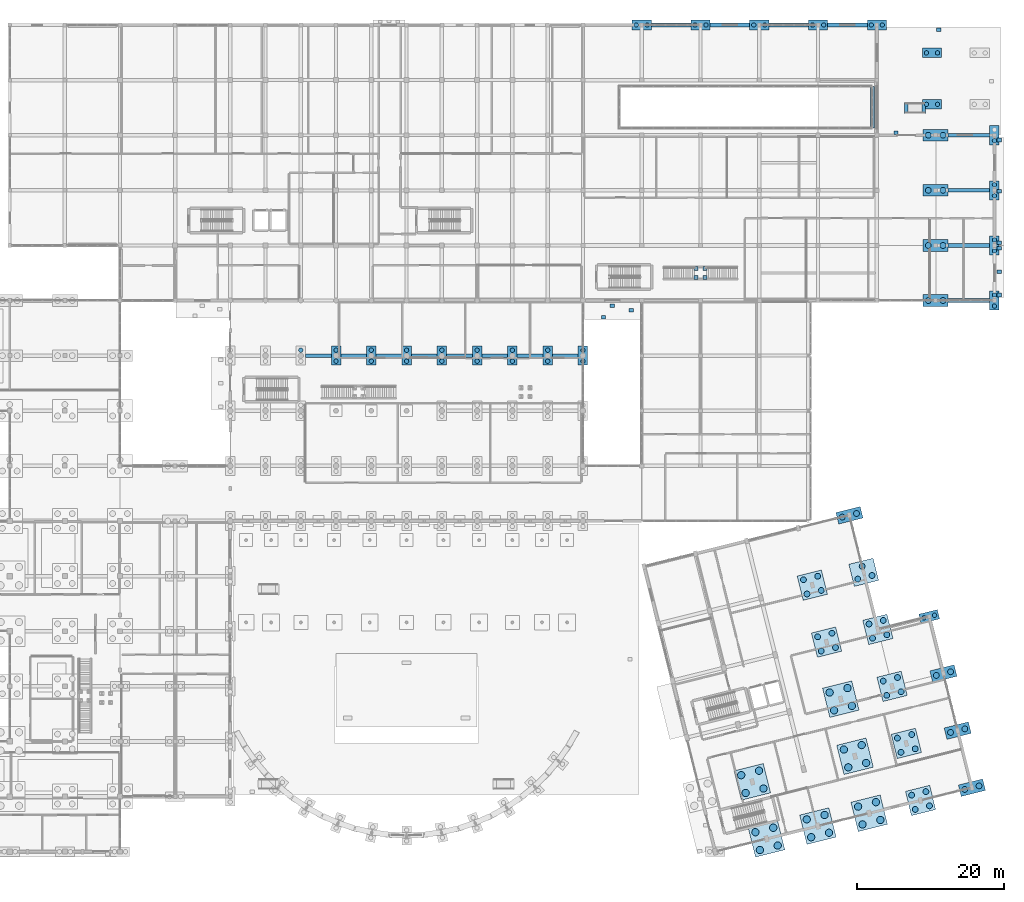
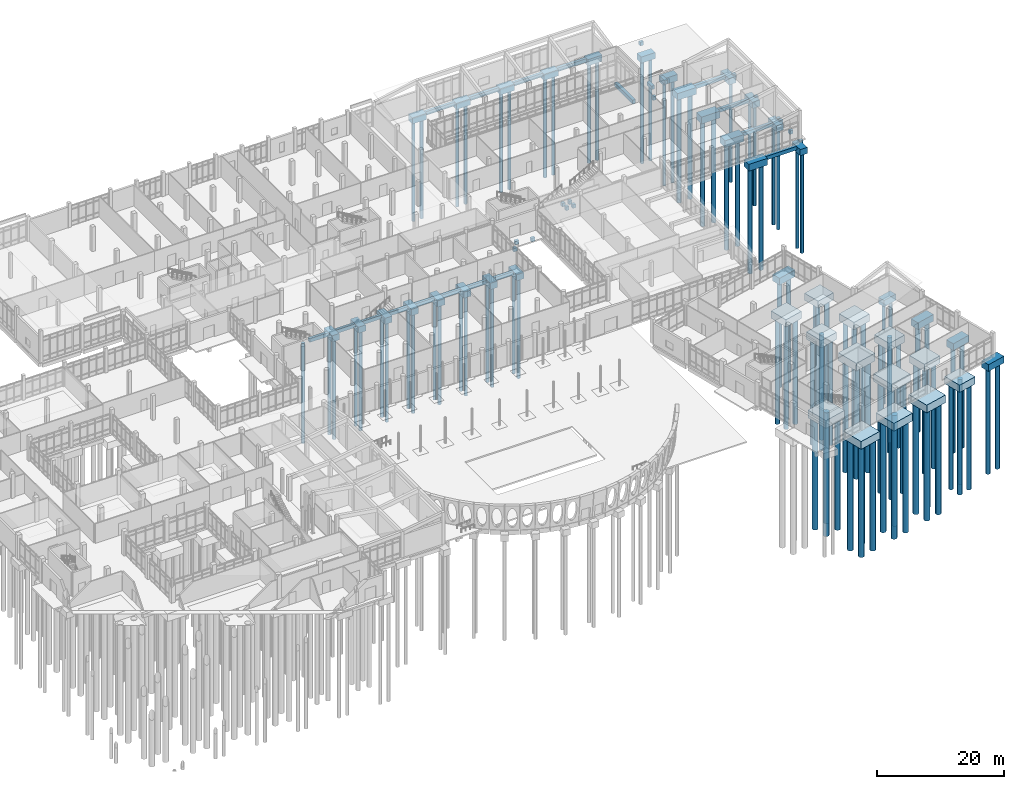
# One storey, part 5 of 173: 107 piles, 75 footings.
"""IFC4 building model written with IfcOpenShell, lengths in metres."""

from ifc_helpers import new_model, si_unit, direction, frame, origin, origin_2d, place, context, subcontext, project, spatial, rectangle, circle, extrude, material, material_profile, profile_set, type_object, element, save


model = new_model("IFC4")

# Units and contexts
model_context = context("Model", 3, precision=1e-05, world=origin(), true_north=direction((0.0, 1.0)))
body_context = subcontext(model_context, "Body", "Model", "MODEL_VIEW")
ifc_project = project(units=[si_unit("LENGTHUNIT", "METRE"), si_unit("AREAUNIT", "SQUARE_METRE"), si_unit("VOLUMEUNIT", "CUBIC_METRE"), si_unit("PLANEANGLEUNIT", "RADIAN"), si_unit("MASSUNIT", "GRAM", prefix="KILO")], contexts=[model_context])

# Site, building, storey
site_placement = place(None, origin())
site = spatial("IfcSite", under=ifc_project, at=site_placement, CompositionType="ELEMENT")
building_placement = place(site_placement, origin())
building = spatial("IfcBuilding", under=site, at=building_placement, Name="Mawjan Specialist Oncology Clinic", CompositionType="ELEMENT")
storey_placement = place(building_placement, origin())
storey = spatial("IfcBuildingStorey", under=building, at=storey_placement, Name="L00", CompositionType="ELEMENT", Elevation=0.0)

# Footings
ifc_material_1 = material(Name="Concrete C40/50", Category="concrete")
footing_type_1 = type_object("IfcFootingType", Name="PC-2A", PredefinedType="PILE_CAP", material=ifc_material_1)
for number, where, z_axis, x_axis, name in (
    (1, (74.39990234375, 68.300048828125, -1.6201171875), (0.0, 0.0, 1.0), (0.0, 1.0, 0.0), "Pile Cap FTG-PC-141"),
    (2, (79.199951171875, 68.300048828125, -1.6201171875), (0.0, 0.0, 1.0), (0.0, 1.0, 0.0), "Pile Cap FTG-PC-150"),
    (3, (84.0, 68.300048828125, -1.6201171875), (0.0, 0.0, 1.0), (0.0, 1.0, 0.0), "Pile Cap FTG-PC-159"),
    (4, (88.800048828125, 68.300048828125, -1.6201171875), (0.0, 0.0, 1.0), (0.0, 1.0, 0.0), "Pile Cap FTG-PC-169"),
    (5, (93.60009765625, 68.300048828125, -1.6201171875), (0.0, 0.0, 1.0), (0.0, 1.0, 0.0), "Pile Cap FTG-PC-179"),
    (6, (98.39990234375, 68.300048828125, -1.6201171875), (0.0, 0.0, 1.0), (0.0, 1.0, 0.0), "Pile Cap FTG-PC-189"),
    (7, (103.199951171875, 68.300048828125, -1.6201171875), (0.0, 0.0, 1.0), (0.0, 1.0, 0.0), "Pile Cap FTG-PC-199"),
    (8, (108.0, 68.300048828125, -1.6201171875), (0.0, 0.0, 1.0), (0.0, 1.0, 0.0), "Pile Cap FTG-PC-209"),
    (9, (116.0, 113.300048828125, -1.64990234375), (0.0, 0.0, 1.0), (1.0, 0.0, 0.0), "Pile Cap FTG-PC-224"),
    (10, (124.0, 113.300048828125, -1.64990234375), (0.0, 0.0, 1.0), (1.0, 0.0, 0.0), "Pile Cap FTG-PC-233"),
    (11, (132.0, 113.300048828125, -1.64990234375), (0.0, 0.0, 1.0), (1.0, 0.0, 0.0), "Pile Cap FTG-PC-242"),
    (12, (140.0, 113.300048828125, -1.64990234375), (0.0, 0.0, 1.0), (1.0, 0.0, 0.0), "Pile Cap FTG-PC-248"),
    (13, (148.0, 113.300048828125, -1.64990234375), (0.0, 0.0, 1.0), (1.0, 0.0, 0.0), "Pile Cap FTG-PC-254"),
    (14, (164.0, 75.800048828125, -1.64990234375), (0.0, 0.0, 1.0), (0.0, 1.0, 0.0), "Pile Cap FTG-PC-259"),
    (15, (164.0, 83.300048828125, -1.64990234375), (0.0, 0.0, 1.0), (0.0, 1.0, 0.0), "Pile Cap FTG-PC-260"),
    (16, (164.0, 90.800048828125, -1.64990234375), (0.0, 0.0, 1.0), (0.0, 1.0, 0.0), "Pile Cap FTG-PC-261"),
    (17, (164.0, 98.300048828125, -1.64990234375), (0.0, 0.0, 1.0), (0.0, 1.0, 0.0), "Pile Cap FTG-PC-262"),
    (18, (155.12451171875, 32.79638671875, -1.6201171875), (0.0, 0.0, 1.0), (0.970295726276, 0.2419218956, 0.0), "Pile Cap FTG-PC-296"),
    (19, (155.5, 102.5, -1.4501953125), (0.0, 0.0, 1.0), (1.0, 0.0, 0.0), "Apron Perimeter Pile Cap 1"),
    (20, (155.5, 109.5, -1.4501953125), (0.0, 0.0, 1.0), (1.0, 0.0, 0.0), "Apron Perimeter Pile Cap 4"),
):
    element("IfcFooting", number, at=place(storey_placement, frame(where, z_axis=z_axis, x_axis=x_axis)), inside=storey, type_object=footing_type_1, Name=name, PredefinedType="PILE_CAP", context=body_context, shape_type="SweptSolid", body=[
        extrude(rectangle(XDim=2.60009765625, YDim=1.300048828125, at=origin_2d()), origin(), (0.0, 0.0, 1.0), 1.199951171875),
    ])
ifc_material_2 = material(Name="Concrete C40/50", Category="concrete")
footing_type_2 = type_object("IfcFootingType", Name="PC-2B", PredefinedType="PILE_CAP", material=ifc_material_2)
for number, where, z_axis, x_axis, name in (
    (21, (156.0, 75.800048828125, -1.75), (0.0, 0.0, 1.0), (1.0, 0.0, 0.0), "Pile Cap FTG-PC-255"),
    (22, (156.0, 83.300048828125, -1.75), (0.0, 0.0, 1.0), (1.0, 0.0, 0.0), "Pile Cap FTG-PC-256"),
    (23, (156.0, 90.800048828125, -1.75), (0.0, 0.0, 1.0), (1.0, 0.0, 0.0), "Pile Cap FTG-PC-257"),
    (24, (156.0, 98.300048828125, -1.75), (0.0, 0.0, 1.0), (1.0, 0.0, 0.0), "Pile Cap FTG-PC-258"),
    (25, (144.267578125, 46.5791015625, -1.72021484375), (0.0, 0.0, 1.0), (0.970295726276, 0.2419218956, 0.0), "Pile Cap FTG-PC-292"),
    (26, (160.9306640625, 9.50927734375, -1.72021484375), (0.0, 0.0, 1.0), (0.970295726276, 0.2419218956, 0.0), "Pile Cap FTG-PC-293"),
    (27, (158.995361328125, 17.271484375, -1.72021484375), (0.0, 0.0, 1.0), (0.970295726276, 0.2419218956, 0.0), "Pile Cap FTG-PC-294"),
    (28, (157.059814453125, 25.033935546875, -1.72021484375), (0.0, 0.0, 1.0), (0.970295726276, 0.2419218956, 0.0), "Pile Cap FTG-PC-295"),
):
    element("IfcFooting", number, at=place(storey_placement, frame(where, z_axis=z_axis, x_axis=x_axis)), inside=storey, type_object=footing_type_2, Name=name, PredefinedType="PILE_CAP", context=body_context, shape_type="SweptSolid", body=[
        extrude(rectangle(XDim=3.39990234375, YDim=1.60009765625, at=origin_2d()), origin(), (0.0, 0.0, 1.0), 1.300048828125),
    ])
ifc_material_3 = material(Name="Concrete C40/50", Category="concrete")
footing_type_3 = type_object("IfcFootingType", Name="PC-3A", PredefinedType="PILE_CAP", material=ifc_material_3)
footing_1_placement = place(storey_placement, frame((146.203125, 38.81689453125, -1.77001953125), z_axis=(0.0, 0.0, 1.0), x_axis=(0.970295726276, 0.2419218956, 0.0)))
element("IfcFooting", 29, at=footing_1_placement, inside=storey, type_object=footing_type_3, Name="Pile Cap FTG-PC-291", PredefinedType="PILE_CAP", context=body_context, shape_type="SweptSolid", body=[
    extrude(rectangle(XDim=3.39990234375, YDim=3.10009765625, at=origin_2d()), origin(), (0.0, 0.0, 1.0), 1.35009765625),
])
ifc_material_4 = material(Name="Concrete C40/50", Category="concrete")
footing_type_4 = type_object("IfcFootingType", Name="PC-4A", PredefinedType="PILE_CAP", material=ifc_material_4)
for number, where, z_axis, x_axis, name in (
    (30, (141.15234375, 29.3125, -1.820068359375), (0.0, 0.0, 1.0), (0.970295726276, 0.2419218956, 0.0), "Pile Cap FTG-PC-284"),
    (31, (139.216796875, 37.074951171875, -1.820068359375), (0.0, 0.0, 1.0), (0.970295726276, 0.2419218956, 0.0), "Pile Cap FTG-PC-285"),
    (32, (153.944580078125, 7.767333984375, -1.820068359375), (0.0, 0.0, 1.0), (0.970295726276, 0.2419218956, 0.0), "Pile Cap FTG-PC-287"),
    (33, (152.009033203125, 15.52978515625, -1.820068359375), (0.0, 0.0, 1.0), (0.970295726276, 0.2419218956, 0.0), "Pile Cap FTG-PC-288"),
    (34, (150.07373046875, 23.2919921875, -1.820068359375), (0.0, 0.0, 1.0), (0.970295726276, 0.2419218956, 0.0), "Pile Cap FTG-PC-289"),
    (35, (148.138427734375, 31.054443359375, -1.820068359375), (0.0, 0.0, 1.0), (0.970295726276, 0.2419218956, 0.0), "Pile Cap FTG-PC-290"),
):
    element("IfcFooting", number, at=place(storey_placement, frame(where, z_axis=z_axis, x_axis=x_axis)), inside=storey, type_object=footing_type_4, Name=name, PredefinedType="PILE_CAP", context=body_context, shape_type="SweptSolid", body=[
        extrude(rectangle(XDim=3.39990234375, YDim=3.39990234375, at=origin_2d()), origin(), (0.0, 0.0, 1.0), 1.39990234375),
    ])
ifc_material_5 = material(Name="Concrete C40/50", Category="concrete")
footing_type_5 = type_object("IfcFootingType", Name="PC-4B", PredefinedType="PILE_CAP", material=ifc_material_5)
for number, where, z_axis, x_axis, name in (
    (36, (132.986083984375, 2.541748046875, -1.919921875), (0.0, 0.0, 1.0), (0.970295726276, 0.2419218956, 0.0), "Pile Cap FTG-PC-269"),
    (37, (131.05078125, 10.30419921875, -1.919921875), (0.0, 0.0, 1.0), (0.970295726276, 0.2419218956, 0.0), "Pile Cap FTG-PC-270"),
    (38, (139.97216796875, 4.28369140625, -1.919921875), (0.0, 0.0, 1.0), (0.970295726276, 0.2419218956, 0.0), "Pile Cap FTG-PC-275"),
    (39, (146.95849609375, 6.025634765625, -1.919921875), (0.0, 0.0, 1.0), (0.970295726276, 0.2419218956, 0.0), "Pile Cap FTG-PC-281"),
    (40, (145.02294921875, 13.787841796875, -1.919921875), (0.0, 0.0, 1.0), (0.970295726276, 0.2419218956, 0.0), "Pile Cap FTG-PC-282"),
    (41, (143.087646484375, 21.55029296875, -1.919921875), (0.0, 0.0, 1.0), (0.970295726276, 0.2419218956, 0.0), "Pile Cap FTG-PC-283"),
):
    element("IfcFooting", number, at=place(storey_placement, frame(where, z_axis=z_axis, x_axis=x_axis)), inside=storey, type_object=footing_type_5, Name=name, PredefinedType="PILE_CAP", context=body_context, shape_type="SweptSolid", body=[
        extrude(rectangle(XDim=4.10009765625, YDim=4.10009765625, at=origin_2d()), origin(), (0.0, 0.0, 1.0), 1.5),
    ])

# Piles
ifc_material_6 = material(Name="Concrete C40/50", Category="concrete")
ifc_material_profile_1 = material_profile(ifc_material_6, circle(Radius=0.5, at=origin_2d()), Name="BORED PILE D1000", Category="concrete")
ifc_profile_set_1 = profile_set([ifc_material_profile_1], Name="Concrete C40/50")
pile_type_1 = type_object("IfcPileType", Name="PILE-1000", PredefinedType="BORED", material=ifc_profile_set_1)
for number, where, z_axis, x_axis, name in (
    (42, (132.07568359375, 1.026611328125, -1.820068359375), (0.0, 0.0, -1.0), (1.0, 0.0, 0.0), "Bored Pile PIL-0670"),
    (43, (134.50146484375, 1.63134765625, -1.820068359375), (0.0, 0.0, -1.0), (1.0, 0.0, 0.0), "Bored Pile PIL-0671"),
    (44, (131.470947265625, 3.452392578125, -1.820068359375), (0.0, 0.0, -1.0), (1.0, 0.0, 0.0), "Bored Pile PIL-0672"),
    (45, (133.896484375, 4.05712890625, -1.820068359375), (0.0, 0.0, -1.0), (1.0, 0.0, 0.0), "Bored Pile PIL-0673"),
    (46, (130.140380859375, 8.788818359375, -1.820068359375), (0.0, 0.0, -1.0), (1.0, 0.0, 0.0), "Bored Pile PIL-0674"),
    (47, (132.56591796875, 9.393798828125, -1.820068359375), (0.0, 0.0, -1.0), (1.0, 0.0, 0.0), "Bored Pile PIL-0675"),
    (48, (129.535400390625, 11.214599609375, -1.820068359375), (0.0, 0.0, -1.0), (1.0, 0.0, 0.0), "Bored Pile PIL-0676"),
    (49, (131.961181640625, 11.819580078125, -1.820068359375), (0.0, 0.0, -1.0), (1.0, 0.0, 0.0), "Bored Pile PIL-0677"),
    (50, (139.061767578125, 2.768310546875, -1.820068359375), (0.0, 0.0, -1.0), (1.0, 0.0, 0.0), "Bored Pile PIL-0694"),
    (51, (141.487548828125, 3.373291015625, -1.820068359375), (0.0, 0.0, -1.0), (1.0, 0.0, 0.0), "Bored Pile PIL-0695"),
    (52, (138.45703125, 5.194091796875, -1.820068359375), (0.0, 0.0, -1.0), (1.0, 0.0, 0.0), "Bored Pile PIL-0696"),
    (53, (140.8828125, 5.798828125, -1.820068359375), (0.0, 0.0, -1.0), (1.0, 0.0, 0.0), "Bored Pile PIL-0697"),
    (54, (146.0478515625, 4.51025390625, -1.820068359375), (0.0, 0.0, -1.0), (1.0, 0.0, 0.0), "Bored Pile PIL-0718"),
    (55, (148.4736328125, 5.114990234375, -1.820068359375), (0.0, 0.0, -1.0), (1.0, 0.0, 0.0), "Bored Pile PIL-0719"),
    (56, (145.443115234375, 6.93603515625, -1.820068359375), (0.0, 0.0, -1.0), (1.0, 0.0, 0.0), "Bored Pile PIL-0720"),
    (57, (147.868896484375, 7.540771484375, -1.820068359375), (0.0, 0.0, -1.0), (1.0, 0.0, 0.0), "Bored Pile PIL-0721"),
    (58, (144.112548828125, 12.272705078125, -1.820068359375), (0.0, 0.0, -1.0), (1.0, 0.0, 0.0), "Bored Pile PIL-0722"),
    (59, (146.538330078125, 12.87744140625, -1.820068359375), (0.0, 0.0, -1.0), (1.0, 0.0, 0.0), "Bored Pile PIL-0723"),
    (60, (143.5078125, 14.6982421875, -1.820068359375), (0.0, 0.0, -1.0), (1.0, 0.0, 0.0), "Bored Pile PIL-0724"),
    (61, (145.93359375, 15.30322265625, -1.820068359375), (0.0, 0.0, -1.0), (1.0, 0.0, 0.0), "Bored Pile PIL-0725"),
    (62, (142.17724609375, 20.034912109375, -1.820068359375), (0.0, 0.0, -1.0), (1.0, 0.0, 0.0), "Bored Pile PIL-0726"),
    (63, (144.60302734375, 20.639892578125, -1.820068359375), (0.0, 0.0, -1.0), (1.0, 0.0, 0.0), "Bored Pile PIL-0727"),
    (64, (141.572265625, 22.460693359375, -1.820068359375), (0.0, 0.0, -1.0), (1.0, 0.0, 0.0), "Bored Pile PIL-0728"),
    (65, (143.998046875, 23.0654296875, -1.820068359375), (0.0, 0.0, -1.0), (1.0, 0.0, 0.0), "Bored Pile PIL-0729"),
):
    element("IfcPile", number, at=place(storey_placement, frame(where, z_axis=z_axis, x_axis=x_axis)), inside=storey, type_object=pile_type_1, Name=name, PredefinedType="BORED", context=body_context, shape_type="SweptSolid", body=[
        extrude(circle(Radius=0.5, at=origin_2d()), origin(), (0.0, 0.0, 1.0), 21.3798828125),
    ])
ifc_material_7 = material(Name="Concrete C40/50", Category="concrete")
ifc_material_profile_2 = material_profile(ifc_material_7, circle(Radius=0.300048828125, at=origin_2d()), Name="BORED PILE D600", Category="concrete")
ifc_profile_set_2 = profile_set([ifc_material_profile_2], Name="Concrete C40/50")
pile_type_2 = type_object("IfcPileType", Name="PILE-600", PredefinedType="BORED", material=ifc_profile_set_2)
for number, where, z_axis, x_axis, name in (
    (66, (69.60009765625, 69.050048828125, -1.52001953125), (0.0, 0.0, -1.0), (1.0, 0.0, 0.0), "Bored Pile PIL-0362"),
    (67, (74.39990234375, 67.550048828125, -1.52001953125), (0.0, 0.0, -1.0), (1.0, 0.0, 0.0), "Bored Pile PIL-0379"),
    (68, (74.39990234375, 69.050048828125, -1.52001953125), (0.0, 0.0, -1.0), (1.0, 0.0, 0.0), "Bored Pile PIL-0380"),
    (69, (79.199951171875, 67.550048828125, -1.52001953125), (0.0, 0.0, -1.0), (1.0, 0.0, 0.0), "Bored Pile PIL-0397"),
    (70, (79.199951171875, 69.050048828125, -1.52001953125), (0.0, 0.0, -1.0), (1.0, 0.0, 0.0), "Bored Pile PIL-0398"),
    (71, (84.0, 67.550048828125, -1.52001953125), (0.0, 0.0, -1.0), (1.0, 0.0, 0.0), "Bored Pile PIL-0415"),
    (72, (84.0, 69.050048828125, -1.52001953125), (0.0, 0.0, -1.0), (1.0, 0.0, 0.0), "Bored Pile PIL-0416"),
    (73, (88.800048828125, 67.550048828125, -1.52001953125), (0.0, 0.0, -1.0), (1.0, 0.0, 0.0), "Bored Pile PIL-0435"),
    (74, (88.800048828125, 69.050048828125, -1.52001953125), (0.0, 0.0, -1.0), (1.0, 0.0, 0.0), "Bored Pile PIL-0436"),
    (75, (93.60009765625, 67.550048828125, -1.52001953125), (0.0, 0.0, -1.0), (1.0, 0.0, 0.0), "Bored Pile PIL-0455"),
    (76, (93.60009765625, 69.050048828125, -1.52001953125), (0.0, 0.0, -1.0), (1.0, 0.0, 0.0), "Bored Pile PIL-0456"),
    (77, (98.39990234375, 67.550048828125, -1.52001953125), (0.0, 0.0, -1.0), (1.0, 0.0, 0.0), "Bored Pile PIL-0475"),
    (78, (98.39990234375, 69.050048828125, -1.52001953125), (0.0, 0.0, -1.0), (1.0, 0.0, 0.0), "Bored Pile PIL-0476"),
    (79, (103.199951171875, 67.550048828125, -1.52001953125), (0.0, 0.0, -1.0), (1.0, 0.0, 0.0), "Bored Pile PIL-0495"),
    (80, (103.199951171875, 69.050048828125, -1.52001953125), (0.0, 0.0, -1.0), (1.0, 0.0, 0.0), "Bored Pile PIL-0496"),
    (81, (108.0, 67.550048828125, -1.52001953125), (0.0, 0.0, -1.0), (1.0, 0.0, 0.0), "Bored Pile PIL-0515"),
    (82, (108.0, 69.050048828125, -1.52001953125), (0.0, 0.0, -1.0), (1.0, 0.0, 0.0), "Bored Pile PIL-0516"),
):
    element("IfcPile", number, at=place(storey_placement, frame(where, z_axis=z_axis, x_axis=x_axis)), inside=storey, type_object=pile_type_2, Name=name, PredefinedType="BORED", context=body_context, shape_type="SweptSolid", body=[
        extrude(circle(Radius=0.300048828125, at=origin_2d()), origin(), (0.0, 0.0, 1.0), 19.280029296875),
    ])
for number, where, z_axis, x_axis, name in (
    (83, (115.25, 113.300048828125, -1.550048828125), (0.0, 0.0, -1.0), (1.0, 0.0, 0.0), "Bored Pile PIL-0551"),
    (84, (116.75, 113.300048828125, -1.550048828125), (0.0, 0.0, -1.0), (1.0, 0.0, 0.0), "Bored Pile PIL-0552"),
    (85, (123.25, 113.300048828125, -1.550048828125), (0.0, 0.0, -1.0), (1.0, 0.0, 0.0), "Bored Pile PIL-0574"),
    (86, (124.75, 113.300048828125, -1.550048828125), (0.0, 0.0, -1.0), (1.0, 0.0, 0.0), "Bored Pile PIL-0575"),
    (87, (131.25, 113.300048828125, -1.550048828125), (0.0, 0.0, -1.0), (1.0, 0.0, 0.0), "Bored Pile PIL-0597"),
    (88, (132.75, 113.300048828125, -1.550048828125), (0.0, 0.0, -1.0), (1.0, 0.0, 0.0), "Bored Pile PIL-0598"),
    (89, (139.25, 113.300048828125, -1.550048828125), (0.0, 0.0, -1.0), (1.0, 0.0, 0.0), "Bored Pile PIL-0614"),
    (90, (140.75, 113.300048828125, -1.550048828125), (0.0, 0.0, -1.0), (1.0, 0.0, 0.0), "Bored Pile PIL-0615"),
    (91, (147.25, 113.300048828125, -1.550048828125), (0.0, 0.0, -1.0), (1.0, 0.0, 0.0), "Bored Pile PIL-0630"),
    (92, (148.75, 113.300048828125, -1.550048828125), (0.0, 0.0, -1.0), (1.0, 0.0, 0.0), "Bored Pile PIL-0631"),
    (93, (164.0, 75.050048828125, -1.550048828125), (0.0, 0.0, -1.0), (1.0, 0.0, 0.0), "Bored Pile PIL-0640"),
    (94, (164.0, 76.550048828125, -1.550048828125), (0.0, 0.0, -1.0), (1.0, 0.0, 0.0), "Bored Pile PIL-0641"),
    (95, (164.0, 82.550048828125, -1.550048828125), (0.0, 0.0, -1.0), (1.0, 0.0, 0.0), "Bored Pile PIL-0642"),
    (96, (164.0, 84.050048828125, -1.550048828125), (0.0, 0.0, -1.0), (1.0, 0.0, 0.0), "Bored Pile PIL-0643"),
    (97, (164.0, 90.050048828125, -1.550048828125), (0.0, 0.0, -1.0), (1.0, 0.0, 0.0), "Bored Pile PIL-0644"),
    (98, (164.0, 91.550048828125, -1.550048828125), (0.0, 0.0, -1.0), (1.0, 0.0, 0.0), "Bored Pile PIL-0645"),
    (99, (164.0, 97.550048828125, -1.550048828125), (0.0, 0.0, -1.0), (1.0, 0.0, 0.0), "Bored Pile PIL-0646"),
):
    element("IfcPile", number, at=place(storey_placement, frame(where, z_axis=z_axis, x_axis=x_axis)), inside=storey, type_object=pile_type_2, Name=name, PredefinedType="BORED", context=body_context, shape_type="SweptSolid", body=[
        extrude(circle(Radius=0.300048828125, at=origin_2d()), origin(), (0.0, 0.0, 1.0), 19.25),
    ])
for number, where, z_axis, x_axis, name in (
    (100, (154.396728515625, 32.61474609375, -1.52001953125), (0.0, 0.0, -1.0), (1.0, 0.0, 0.0), "Bored Pile PIL-0769"),
    (101, (155.852294921875, 32.977783203125, -1.52001953125), (0.0, 0.0, -1.0), (1.0, 0.0, 0.0), "Bored Pile PIL-0770"),
):
    element("IfcPile", number, at=place(storey_placement, frame(where, z_axis=z_axis, x_axis=x_axis)), inside=storey, type_object=pile_type_2, Name=name, PredefinedType="BORED", context=body_context, shape_type="SweptSolid", body=[
        extrude(circle(Radius=0.300048828125, at=origin_2d()), origin(), (0.0, 0.0, 1.0), 19.280029296875),
    ])
for number, where, z_axis, x_axis, name in (
    (102, (154.75, 102.5, -1.35009765625), (0.0, 0.0, -1.0), (1.0, 0.0, 0.0), "Apron Bored Pile 1-1"),
    (103, (156.25, 102.5, -1.35009765625), (0.0, 0.0, -1.0), (1.0, 0.0, 0.0), "Apron Bored Pile 1-2"),
    (104, (154.75, 109.5, -1.35009765625), (0.0, 0.0, -1.0), (1.0, 0.0, 0.0), "Apron Bored Pile 4-1"),
    (105, (156.25, 109.5, -1.35009765625), (0.0, 0.0, -1.0), (1.0, 0.0, 0.0), "Apron Bored Pile 4-2"),
):
    element("IfcPile", number, at=place(storey_placement, frame(where, z_axis=z_axis, x_axis=x_axis)), inside=storey, type_object=pile_type_2, Name=name, PredefinedType="BORED", context=body_context, shape_type="SweptSolid", body=[
        extrude(circle(Radius=0.300048828125, at=origin_2d()), origin(), (0.0, 0.0, 1.0), 19.85009765625),
    ])
ifc_material_8 = material(Name="Concrete C40/50", Category="concrete")
ifc_material_profile_3 = material_profile(ifc_material_8, circle(Radius=0.39990234375, at=origin_2d()), Name="BORED PILE D800", Category="concrete")
ifc_profile_set_3 = profile_set([ifc_material_profile_3], Name="Concrete C40/50")
pile_type_3 = type_object("IfcPileType", Name="PILE-800", PredefinedType="BORED", material=ifc_profile_set_3)
for number, where, z_axis, x_axis, name in (
    (106, (155.0, 75.800048828125, -1.64990234375), (0.0, 0.0, -1.0), (1.0, 0.0, 0.0), "Bored Pile PIL-0632"),
    (107, (157.0, 75.800048828125, -1.64990234375), (0.0, 0.0, -1.0), (1.0, 0.0, 0.0), "Bored Pile PIL-0633"),
    (108, (155.0, 83.300048828125, -1.64990234375), (0.0, 0.0, -1.0), (1.0, 0.0, 0.0), "Bored Pile PIL-0634"),
    (109, (157.0, 83.300048828125, -1.64990234375), (0.0, 0.0, -1.0), (1.0, 0.0, 0.0), "Bored Pile PIL-0635"),
    (110, (155.0, 90.800048828125, -1.64990234375), (0.0, 0.0, -1.0), (1.0, 0.0, 0.0), "Bored Pile PIL-0636"),
    (111, (157.0, 90.800048828125, -1.64990234375), (0.0, 0.0, -1.0), (1.0, 0.0, 0.0), "Bored Pile PIL-0637"),
    (112, (155.0, 98.300048828125, -1.64990234375), (0.0, 0.0, -1.0), (1.0, 0.0, 0.0), "Bored Pile PIL-0638"),
    (113, (157.0, 98.300048828125, -1.64990234375), (0.0, 0.0, -1.0), (1.0, 0.0, 0.0), "Bored Pile PIL-0639"),
):
    element("IfcPile", number, at=place(storey_placement, frame(where, z_axis=z_axis, x_axis=x_axis)), inside=storey, type_object=pile_type_3, Name=name, PredefinedType="BORED", context=body_context, shape_type="SweptSolid", body=[
        extrude(circle(Radius=0.39990234375, at=origin_2d()), origin(), (0.0, 0.0, 1.0), 20.35009765625),
    ])
for number, where, z_axis, x_axis, name in (
    (114, (140.423828125, 28.100341796875, -1.719970703125), (0.0, 0.0, -1.0), (1.0, 0.0, 0.0), "Bored Pile PIL-0730"),
    (115, (142.364501953125, 28.584228515625, -1.719970703125), (0.0, 0.0, -1.0), (1.0, 0.0, 0.0), "Bored Pile PIL-0731"),
    (116, (139.93994140625, 30.041015625, -1.719970703125), (0.0, 0.0, -1.0), (1.0, 0.0, 0.0), "Bored Pile PIL-0732"),
    (117, (141.880615234375, 30.52490234375, -1.719970703125), (0.0, 0.0, -1.0), (1.0, 0.0, 0.0), "Bored Pile PIL-0733"),
    (118, (138.488525390625, 35.86279296875, -1.719970703125), (0.0, 0.0, -1.0), (1.0, 0.0, 0.0), "Bored Pile PIL-0734"),
    (119, (140.42919921875, 36.3466796875, -1.719970703125), (0.0, 0.0, -1.0), (1.0, 0.0, 0.0), "Bored Pile PIL-0735"),
    (120, (138.004638671875, 37.803466796875, -1.719970703125), (0.0, 0.0, -1.0), (1.0, 0.0, 0.0), "Bored Pile PIL-0736"),
    (121, (139.9453125, 38.287109375, -1.719970703125), (0.0, 0.0, -1.0), (1.0, 0.0, 0.0), "Bored Pile PIL-0737"),
    (122, (153.216064453125, 6.55517578125, -1.719970703125), (0.0, 0.0, -1.0), (1.0, 0.0, 0.0), "Bored Pile PIL-0742"),
    (123, (155.15673828125, 7.0390625, -1.719970703125), (0.0, 0.0, -1.0), (1.0, 0.0, 0.0), "Bored Pile PIL-0743"),
    (124, (152.732177734375, 8.49560546875, -1.719970703125), (0.0, 0.0, -1.0), (1.0, 0.0, 0.0), "Bored Pile PIL-0744"),
    (125, (154.6728515625, 8.9794921875, -1.719970703125), (0.0, 0.0, -1.0), (1.0, 0.0, 0.0), "Bored Pile PIL-0745"),
    (126, (151.28076171875, 14.3173828125, -1.719970703125), (0.0, 0.0, -1.0), (1.0, 0.0, 0.0), "Bored Pile PIL-0746"),
    (127, (153.221435546875, 14.80126953125, -1.719970703125), (0.0, 0.0, -1.0), (1.0, 0.0, 0.0), "Bored Pile PIL-0747"),
    (128, (150.796875, 16.258056640625, -1.719970703125), (0.0, 0.0, -1.0), (1.0, 0.0, 0.0), "Bored Pile PIL-0748"),
    (129, (152.737548828125, 16.741943359375, -1.719970703125), (0.0, 0.0, -1.0), (1.0, 0.0, 0.0), "Bored Pile PIL-0749"),
    (130, (149.345458984375, 22.079833984375, -1.719970703125), (0.0, 0.0, -1.0), (1.0, 0.0, 0.0), "Bored Pile PIL-0750"),
    (131, (151.285888671875, 22.563720703125, -1.719970703125), (0.0, 0.0, -1.0), (1.0, 0.0, 0.0), "Bored Pile PIL-0751"),
    (132, (148.861572265625, 24.0205078125, -1.719970703125), (0.0, 0.0, -1.0), (1.0, 0.0, 0.0), "Bored Pile PIL-0752"),
    (133, (150.80224609375, 24.50439453125, -1.719970703125), (0.0, 0.0, -1.0), (1.0, 0.0, 0.0), "Bored Pile PIL-0753"),
    (134, (147.409912109375, 29.84228515625, -1.719970703125), (0.0, 0.0, -1.0), (1.0, 0.0, 0.0), "Bored Pile PIL-0754"),
    (135, (149.3505859375, 30.326171875, -1.719970703125), (0.0, 0.0, -1.0), (1.0, 0.0, 0.0), "Bored Pile PIL-0755"),
    (136, (146.92626953125, 31.78271484375, -1.719970703125), (0.0, 0.0, -1.0), (1.0, 0.0, 0.0), "Bored Pile PIL-0756"),
    (137, (148.86669921875, 32.2666015625, -1.719970703125), (0.0, 0.0, -1.0), (1.0, 0.0, 0.0), "Bored Pile PIL-0757"),
):
    element("IfcPile", number, at=place(storey_placement, frame(where, z_axis=z_axis, x_axis=x_axis)), inside=storey, type_object=pile_type_3, Name=name, PredefinedType="BORED", context=body_context, shape_type="SweptSolid", body=[
        extrude(circle(Radius=0.39990234375, at=origin_2d()), origin(), (0.0, 0.0, 1.0), 20.280029296875),
    ])
for number, where, z_axis, x_axis, name in (
    (138, (145.402099609375, 37.895751953125, -1.669921875), (0.0, 0.0, -1.0), (1.0, 0.0, 0.0), "Bored Pile PIL-0758"),
    (139, (147.3427734375, 38.379638671875, -1.669921875), (0.0, 0.0, -1.0), (1.0, 0.0, 0.0), "Bored Pile PIL-0759"),
    (140, (145.997314453125, 39.6416015625, -1.669921875), (0.0, 0.0, -1.0), (1.0, 0.0, 0.0), "Bored Pile PIL-0760"),
):
    element("IfcPile", number, at=place(storey_placement, frame(where, z_axis=z_axis, x_axis=x_axis)), inside=storey, type_object=pile_type_3, Name=name, PredefinedType="BORED", context=body_context, shape_type="SweptSolid", body=[
        extrude(circle(Radius=0.39990234375, at=origin_2d()), origin(), (0.0, 0.0, 1.0), 20.330078125),
    ])
for number, where, z_axis, x_axis, name in (
    (141, (143.29736328125, 46.337158203125, -1.6201171875), (0.0, 0.0, -1.0), (1.0, 0.0, 0.0), "Bored Pile PIL-0761"),
    (142, (145.238037109375, 46.821044921875, -1.6201171875), (0.0, 0.0, -1.0), (1.0, 0.0, 0.0), "Bored Pile PIL-0762"),
    (143, (159.96044921875, 9.267333984375, -1.6201171875), (0.0, 0.0, -1.0), (1.0, 0.0, 0.0), "Bored Pile PIL-0763"),
    (144, (161.90087890625, 9.751220703125, -1.6201171875), (0.0, 0.0, -1.0), (1.0, 0.0, 0.0), "Bored Pile PIL-0764"),
    (145, (158.02490234375, 17.029541015625, -1.6201171875), (0.0, 0.0, -1.0), (1.0, 0.0, 0.0), "Bored Pile PIL-0765"),
    (146, (159.965576171875, 17.513427734375, -1.6201171875), (0.0, 0.0, -1.0), (1.0, 0.0, 0.0), "Bored Pile PIL-0766"),
    (147, (156.089599609375, 24.7919921875, -1.6201171875), (0.0, 0.0, -1.0), (1.0, 0.0, 0.0), "Bored Pile PIL-0767"),
    (148, (158.0302734375, 25.27587890625, -1.6201171875), (0.0, 0.0, -1.0), (1.0, 0.0, 0.0), "Bored Pile PIL-0768"),
):
    element("IfcPile", number, at=place(storey_placement, frame(where, z_axis=z_axis, x_axis=x_axis)), inside=storey, type_object=pile_type_3, Name=name, PredefinedType="BORED", context=body_context, shape_type="SweptSolid", body=[
        extrude(circle(Radius=0.39990234375, at=origin_2d()), origin(), (0.0, 0.0, 1.0), 20.3798828125),
    ])

# Footings
ifc_material_9 = material(Name="Concrete C40/50", Category="concrete")
footing_type_6 = type_object("IfcFootingType", Name="SF-500", PredefinedType="STRIP_FOOTING", material=ifc_material_9)
for number, where, z_axis, x_axis, name in (
    (149, (110.800048828125, 73.550048828125, -0.9501953125), (0.0, 0.0, 1.0), (1.0, 0.0, 0.0), "Apron Grade Strip SLB-APR-K8-1"),
    (150, (114.60009765625, 74.5, -0.9501953125), (0.0, 0.0, 1.0), (1.0, 0.0, 0.0), "Apron Grade Strip SLB-APR-K8-2"),
    (151, (112.0, 75.10009765625, -0.9501953125), (0.0, 0.0, 1.0), (1.0, 0.0, 0.0), "Apron Grade Strip SLB-APR-K8-3"),
    (152, (150.60009765625, 98.64990234375, -0.9501953125), (0.0, 0.0, 1.0), (1.0, 0.0, 0.0), "Apron Grade Strip SLB-APR-E1-1"),
    (153, (156.39990234375, 112.64990234375, -0.9501953125), (0.0, 0.0, 1.0), (1.0, 0.0, 0.0), "Apron Grade Strip SLB-APR-E1-3"),
    (154, (164.64990234375, 76.550048828125, -0.9501953125), (0.0, 0.0, 1.0), (1.0, 0.0, 0.0), "Apron Grade Strip SLB-APR-E2S-1"),
    (155, (164.64990234375, 79.739990234375, -0.9501953125), (0.0, 0.0, 1.0), (1.0, 0.0, 0.0), "Apron Grade Strip SLB-APR-E2S-2"),
    (156, (164.64990234375, 82.929931640625, -0.9501953125), (0.0, 0.0, 1.0), (1.0, 0.0, 0.0), "Apron Grade Strip SLB-APR-E2S-3"),
    (157, (164.64990234375, 83.669921875, -0.9501953125), (0.0, 0.0, 1.0), (1.0, 0.0, 0.0), "Apron Grade Strip SLB-APR-E2N-1"),
    (158, (164.64990234375, 90.659912109375, -0.9501953125), (0.0, 0.0, 1.0), (1.0, 0.0, 0.0), "Apron Grade Strip SLB-APR-E2N-2"),
    (159, (164.64990234375, 97.64990234375, -0.9501953125), (0.0, 0.0, 1.0), (1.0, 0.0, 0.0), "Apron Grade Strip SLB-APR-E2N-3"),
):
    element("IfcFooting", number, at=place(storey_placement, frame(where, z_axis=z_axis, x_axis=x_axis)), inside=storey, type_object=footing_type_6, Name=name, PredefinedType="STRIP_FOOTING", context=body_context, shape_type="SweptSolid", body=[
        extrude(rectangle(XDim=0.60009765625, YDim=0.5, at=origin_2d()), origin(), (0.0, 0.0, 1.0), 0.699951171875),
    ])
for number, where, z_axis, x_axis, name in (
    (160, (152.0, 102.0, -1.10009765625), (0.0, 0.0, 1.0), (1.0, 0.0, 0.0), "Ramp Bearing Footing RMP-PED-04-1"),
    (161, (154.39990234375, 102.0, -0.919921875), (0.0, 0.0, 1.0), (1.0, 0.0, 0.0), "Ramp Bearing Footing RMP-PED-04-2"),
):
    element("IfcFooting", number, at=place(storey_placement, frame(where, z_axis=z_axis, x_axis=x_axis)), inside=storey, type_object=footing_type_6, Name=name, PredefinedType="STRIP_FOOTING", context=body_context, shape_type="SweptSolid", body=[
        extrude(rectangle(XDim=0.5, YDim=1.5, at=origin_2d()), origin(), (0.0, 0.0, 1.0), 0.699951171875),
    ])
for number, where, z_axis, x_axis, name in (
    (162, (72.0, 68.300048828125, -1.1201171875), (0.0, 0.0, 1.0), (1.0, 0.0, 0.0), "Foundation Tie Strip FTG-SF-127"),
    (163, (76.800048828125, 68.300048828125, -1.1201171875), (0.0, 0.0, 1.0), (1.0, 0.0, 0.0), "Foundation Tie Strip FTG-SF-128"),
    (164, (81.60009765625, 68.300048828125, -1.1201171875), (0.0, 0.0, 1.0), (1.0, 0.0, 0.0), "Foundation Tie Strip FTG-SF-129"),
    (165, (86.39990234375, 68.300048828125, -1.1201171875), (0.0, 0.0, 1.0), (1.0, 0.0, 0.0), "Foundation Tie Strip FTG-SF-130"),
    (166, (91.199951171875, 68.300048828125, -1.1201171875), (0.0, 0.0, 1.0), (1.0, 0.0, 0.0), "Foundation Tie Strip FTG-SF-131"),
    (167, (96.0, 68.300048828125, -1.1201171875), (0.0, 0.0, 1.0), (1.0, 0.0, 0.0), "Foundation Tie Strip FTG-SF-132"),
    (168, (100.800048828125, 68.300048828125, -1.1201171875), (0.0, 0.0, 1.0), (1.0, 0.0, 0.0), "Foundation Tie Strip FTG-SF-133"),
    (169, (105.60009765625, 68.300048828125, -1.1201171875), (0.0, 0.0, 1.0), (1.0, 0.0, 0.0), "Foundation Tie Strip FTG-SF-134"),
):
    element("IfcFooting", number, at=place(storey_placement, frame(where, z_axis=z_axis, x_axis=x_axis)), inside=storey, type_object=footing_type_6, Name=name, PredefinedType="STRIP_FOOTING", context=body_context, shape_type="SweptSolid", body=[
        extrude(rectangle(XDim=3.5, YDim=0.5, at=origin_2d()), origin(), (0.0, 0.0, 1.0), 0.699951171875),
    ])
for number, where, z_axis, x_axis, name in (
    (170, (160.52490234375, 75.800048828125, -1.14990234375), (0.0, 0.0, 1.0), (1.0, 0.0, 0.0), "Foundation Tie Strip FTG-SF-159"),
    (171, (160.52490234375, 83.300048828125, -1.14990234375), (0.0, 0.0, 1.0), (1.0, 0.0, 0.0), "Foundation Tie Strip FTG-SF-179"),
    (172, (160.52490234375, 90.800048828125, -1.14990234375), (0.0, 0.0, 1.0), (1.0, 0.0, 0.0), "Foundation Tie Strip FTG-SF-199"),
    (173, (160.52490234375, 98.300048828125, -1.14990234375), (0.0, 0.0, 1.0), (1.0, 0.0, 0.0), "Foundation Tie Strip FTG-SF-219"),
):
    element("IfcFooting", number, at=place(storey_placement, frame(where, z_axis=z_axis, x_axis=x_axis)), inside=storey, type_object=footing_type_6, Name=name, PredefinedType="STRIP_FOOTING", context=body_context, shape_type="SweptSolid", body=[
        extrude(rectangle(XDim=5.64990234375, YDim=0.5, at=origin_2d()), origin(), (0.0, 0.0, 1.0), 0.699951171875),
    ])
for number, where, z_axis, x_axis, name in (
    (174, (120.0, 113.300048828125, -1.14990234375), (0.0, 0.0, 1.0), (1.0, 0.0, 0.0), "Foundation Tie Strip FTG-SF-253"),
    (175, (128.0, 113.300048828125, -1.14990234375), (0.0, 0.0, 1.0), (1.0, 0.0, 0.0), "Foundation Tie Strip FTG-SF-254"),
    (176, (136.0, 113.300048828125, -1.14990234375), (0.0, 0.0, 1.0), (1.0, 0.0, 0.0), "Foundation Tie Strip FTG-SF-255"),
    (177, (144.0, 113.300048828125, -1.14990234375), (0.0, 0.0, 1.0), (1.0, 0.0, 0.0), "Foundation Tie Strip FTG-SF-256"),
):
    element("IfcFooting", number, at=place(storey_placement, frame(where, z_axis=z_axis, x_axis=x_axis)), inside=storey, type_object=footing_type_6, Name=name, PredefinedType="STRIP_FOOTING", context=body_context, shape_type="SweptSolid", body=[
        extrude(rectangle(XDim=5.39990234375, YDim=0.5, at=origin_2d()), origin(), (0.0, 0.0, 1.0), 0.699951171875),
    ])
for number, where, z_axis, x_axis, name in (
    (178, (123.39990234375, 78.965087890625, -0.7001953125), (0.0, 0.0, 1.0), (1.0, 0.0, 0.0), "ST-12 Post Footing 1"),
    (179, (124.60009765625, 78.965087890625, -0.7001953125), (0.0, 0.0, 1.0), (1.0, 0.0, 0.0), "ST-12 Post Footing 2"),
    (180, (124.60009765625, 80.135009765625, -0.7001953125), (0.0, 0.0, 1.0), (1.0, 0.0, 0.0), "ST-12 Post Footing 3"),
    (181, (123.39990234375, 80.135009765625, -0.7001953125), (0.0, 0.0, 1.0), (1.0, 0.0, 0.0), "ST-12 Post Footing 4"),
):
    element("IfcFooting", number, at=place(storey_placement, frame(where, z_axis=z_axis, x_axis=x_axis)), inside=storey, type_object=footing_type_6, Name=name, PredefinedType="STRIP_FOOTING", context=body_context, shape_type="SweptSolid", body=[
        extrude(rectangle(XDim=0.550048828125, YDim=0.550048828125, at=origin_2d()), origin(), (0.0, 0.0, 1.0), 0.699951171875),
    ])
ifc_material_10 = material(Name="Concrete C40/50", Category="concrete")
footing_type_7 = type_object("IfcFootingType", Name="SF-600", PredefinedType="STRIP_FOOTING", material=ifc_material_10)
footing_2_placement = place(storey_placement, frame((147.39990234375, 102.10009765625, -1.054931640625), z_axis=(0.0, 0.0, 1.0), x_axis=(1.0, 0.0, 0.0)))
element("IfcFooting", 182, at=footing_2_placement, inside=storey, type_object=footing_type_7, Name="Vehicle Ramp Top Bearing Strip Footing FTG-VR-TOP", PredefinedType="STRIP_FOOTING", context=body_context, shape_type="SweptSolid", body=[
    extrude(rectangle(XDim=0.60009765625, YDim=5.60009765625, at=origin_2d()), origin(), (0.0, 0.0, 1.0), 0.75),
])

save(model, "model.ifc")
